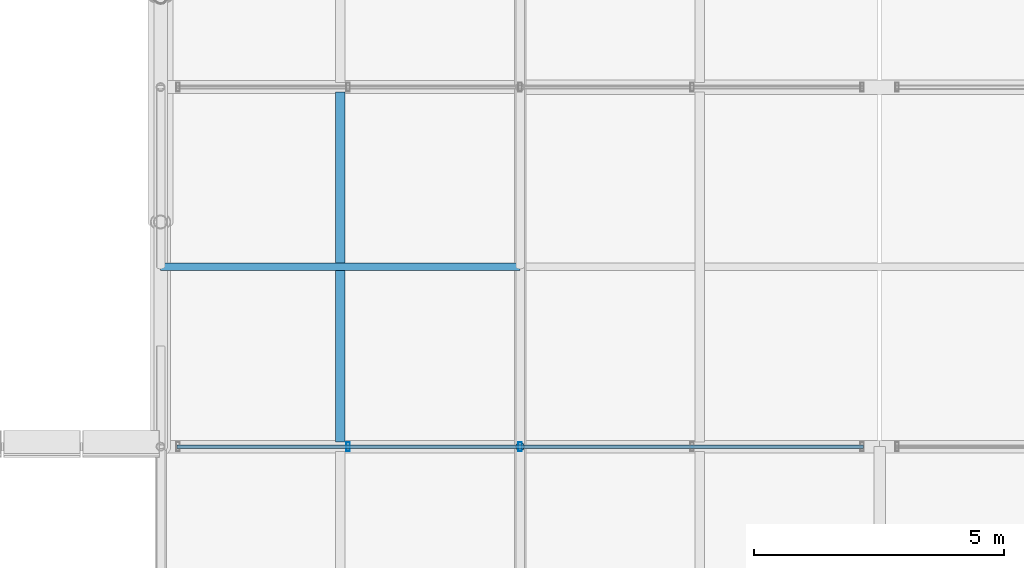
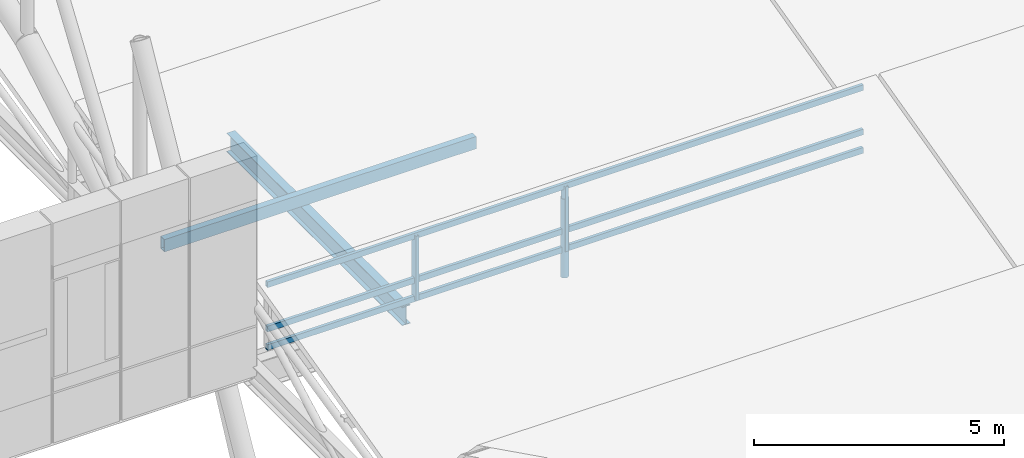
# One storey, part 57 of 144: 7 members, 1 beam, 1 element without a shape of its own.
"""IFC4 building model written with IfcOpenShell, lengths in metres."""

from ifc_helpers import new_model, si_unit, direction, frame, origin, origin_2d, place, context, subcontext, project, spatial, hollow_rectangle, hollow_circle, i_section, extrude, material, material_profile, profile_set, type_object, element, aggregate, save


model = new_model("IFC4")

# Units and contexts
model_context = context("Model", 3, precision=1e-05, world=origin(), true_north=direction((0.0, 1.0)))
body_context = subcontext(model_context, "Body", "Model", "MODEL_VIEW")
ifc_project = project(units=[si_unit("LENGTHUNIT", "METRE"), si_unit("AREAUNIT", "SQUARE_METRE"), si_unit("VOLUMEUNIT", "CUBIC_METRE"), si_unit("PLANEANGLEUNIT", "RADIAN"), si_unit("MASSUNIT", "GRAM", prefix="KILO")], contexts=[model_context])

# Site, building, storey
site_placement = place(None, origin())
site = spatial("IfcSite", under=ifc_project, at=site_placement, CompositionType="ELEMENT")
building_placement = place(site_placement, origin())
building = spatial("IfcBuilding", under=site, at=building_placement, Name="Yarey Park Central Fire Station", CompositionType="ELEMENT")
storey_placement = place(building_placement, frame((0.0, 0.0, 10.199951171875)))
storey = spatial("IfcBuildingStorey", under=building, at=storey_placement, Name="L03", CompositionType="ELEMENT", Elevation=10.199951171875)

# Curtain wall, members
ifc_material_1 = material(Name="Anodized Aluminium Frame", Category="aluminium")
curtain_wall_type = type_object("IfcCurtainWallType", Name="ENV_CW_SAW_18", PredefinedType="NOTDEFINED", material=ifc_material_1)
curtain_wall_placement = place(storey_placement, origin())
curtain_wall = element("IfcCurtainWall", 1, at=curtain_wall_placement, inside=storey, type_object=curtain_wall_type, Name="CW_L03_SAW_2_1", PredefinedType="NOTDEFINED")
ifc_material_profile_1 = material_profile(ifc_material_1, hollow_rectangle(XDim=0.070068359375, YDim=0.179931640625, WallThickness=0.00390625, at=origin_2d()), Name="ALU 180x70x4")
ifc_profile_set_1 = profile_set([ifc_material_profile_1], Name="Anodized Aluminium Frame")
member_type_1 = type_object("IfcMemberType", Name="ENV_CW_MULLION", PredefinedType="MULLION", material=ifc_profile_set_1)
member_1_placement = place(storey_placement, frame((144.0, 57.60009765625, 0.0), z_axis=(0.0, 0.0, 1.0), x_axis=(1.0, 0.0, 0.0)))
member_1 = element("IfcMember", 2, at=member_1_placement, type_object=member_type_1, Name="CW_L03_SAW_2_1_MUL3", PredefinedType="MULLION", context=body_context, shape_type="SweptSolid", body=[
    extrude(hollow_rectangle(XDim=0.070068359375, YDim=0.179931640625, WallThickness=0.00390625, at=origin_2d()), origin(), (0.0, 0.0, 1.0), 1.580078125),
])
member_2_placement = place(storey_placement, frame((140.554931640625, 57.60009765625, 0.0), z_axis=(0.0, 0.0, 1.0), x_axis=(1.0, 0.0, 0.0)))
member_2 = element("IfcMember", 3, at=member_2_placement, type_object=member_type_1, Name="CW_L03_SAW_2_1_MUL4", PredefinedType="MULLION", context=body_context, shape_type="SweptSolid", body=[
    extrude(hollow_rectangle(XDim=0.070068359375, YDim=0.179931640625, WallThickness=0.00390625, at=origin_2d()), origin(), (0.0, 0.0, 1.0), 1.580078125),
])
ifc_material_profile_2 = material_profile(ifc_material_1, hollow_rectangle(XDim=0.070068359375, YDim=0.139892578125, WallThickness=0.00390625, at=origin_2d()), Name="ALU 140x70x4")
ifc_profile_set_2 = profile_set([ifc_material_profile_2], Name="Anodized Aluminium Frame")
member_type_2 = type_object("IfcMemberType", Name="ENV_CW_TRANSOM", PredefinedType="USERDEFINED", material=ifc_profile_set_2)
member_3_placement = place(storey_placement, frame((150.875, 57.60009765625, 0.025146484375), z_axis=(-1.0, 0.0, 0.0), x_axis=(0.0, -1.0, 0.0)))
member_3 = element("IfcMember", 4, at=member_3_placement, type_object=member_type_2, Name="CW_L03_SAW_2_1_TRN1", ObjectType="TRANSOM", PredefinedType="USERDEFINED", context=body_context, shape_type="SweptSolid", body=[
    extrude(hollow_rectangle(XDim=0.070068359375, YDim=0.139892578125, WallThickness=0.00390625, at=origin_2d()), origin(), (0.0, 0.0, 1.0), 13.75),
])
member_4_placement = place(storey_placement, frame((150.875, 57.60009765625, 0.47412109375), z_axis=(-1.0, 0.0, 0.0), x_axis=(0.0, -1.0, 0.0)))
member_4 = element("IfcMember", 5, at=member_4_placement, type_object=member_type_2, Name="CW_L03_SAW_2_1_TRN2", ObjectType="TRANSOM", PredefinedType="USERDEFINED", context=body_context, shape_type="SweptSolid", body=[
    extrude(hollow_rectangle(XDim=0.070068359375, YDim=0.139892578125, WallThickness=0.00390625, at=origin_2d()), origin(), (0.0, 0.0, 1.0), 13.75),
])
member_5_placement = place(storey_placement, frame((150.875, 57.60009765625, 1.554931640625), z_axis=(-1.0, 0.0, 0.0), x_axis=(0.0, -1.0, 0.0)))
member_5 = element("IfcMember", 6, at=member_5_placement, type_object=member_type_2, Name="CW_L03_SAW_2_1_TRN3", ObjectType="TRANSOM", PredefinedType="USERDEFINED", context=body_context, shape_type="SweptSolid", body=[
    extrude(hollow_rectangle(XDim=0.070068359375, YDim=0.139892578125, WallThickness=0.00390625, at=origin_2d()), origin(), (0.0, 0.0, 1.0), 13.75),
])
aggregate(curtain_wall, [member_1, member_2, member_3, member_4, member_5])

# Beam
ifc_material_2 = material(Name="Steel ASTM A992 Gr. 50", Category="steel")
ifc_material_profile_3 = material_profile(ifc_material_2, i_section(OverallWidth=0.18994140625, OverallDepth=0.45703125, WebThickness=0.009033203125, FlangeThickness=0.014404296875, at=origin_2d()), Name="W460x74")
ifc_profile_set_3 = profile_set([ifc_material_profile_3], Name="Steel ASTM A992 Gr. 50")
beam_type = type_object("IfcBeamType", Name="STR_JST_W460", PredefinedType="JOIST", material=ifc_profile_set_3)
beam_placement = place(storey_placement, frame((140.39990234375, 57.695068359375, -0.408447265625), z_axis=(0.0, 1.0, 0.0), x_axis=(-1.0, 0.0, 0.0)))
element("IfcBeam", 7, at=beam_placement, inside=storey, type_object=beam_type, Name="JST L03 X1404 Y576", PredefinedType="JOIST", context=body_context, shape_type="SweptSolid", body=[
    extrude(i_section(OverallWidth=0.18994140625, OverallDepth=0.45703125, WebThickness=0.009033203125, FlangeThickness=0.014404296875, at=origin_2d()), origin(), (0.0, 0.0, 1.0), 7.010009765625),
])

# Members
ifc_material_3 = material(Name="Steel ASTM A500 Gr. C", Category="steel")
ifc_material_profile_4 = material_profile(ifc_material_3, hollow_rectangle(XDim=0.14990234375, YDim=0.300048828125, WallThickness=0.010009765625, at=origin_2d()), Name="HSS 300x150x10")
ifc_profile_set_4 = profile_set([ifc_material_profile_4], Name="Steel ASTM A500 Gr. C")
member_type_3 = type_object("IfcMemberType", Name="STR_PUR_HSS300", PredefinedType="PURLIN", material=ifc_profile_set_4)
member_6_placement = place(storey_placement, frame((136.800048828125, 61.199951171875, 0.462646484375), z_axis=(1.0, 0.0, 0.0), x_axis=(0.0, 1.0, 0.0)))
element("IfcMember", 8, at=member_6_placement, inside=storey, type_object=member_type_3, Name="SAW_PUR_1_B3", PredefinedType="PURLIN", context=body_context, shape_type="SweptSolid", body=[
    extrude(hollow_rectangle(XDim=0.14990234375, YDim=0.300048828125, WallThickness=0.010009765625, at=origin_2d()), origin(), (0.0, 0.0, 1.0), 7.199951171875),
])
ifc_material_profile_5 = material_profile(ifc_material_3, hollow_circle(Radius=0.084228515625, WallThickness=0.008056640625, at=origin_2d()), Name="CHS 168.3x8")
ifc_profile_set_5 = profile_set([ifc_material_profile_5], Name="Steel ASTM A500 Gr. C")
member_type_4 = type_object("IfcMemberType", Name="STR_WEB_CHS168", PredefinedType="BRACE", material=ifc_profile_set_5)
member_7_placement = place(storey_placement, frame((144.0, 57.60009765625, -0.64990234375), z_axis=(0.0, 0.0, 1.0), x_axis=(1.0, 0.0, 0.0)))
element("IfcMember", 9, at=member_7_placement, inside=storey, type_object=member_type_4, Name="SAW_T2_B2_VT", PredefinedType="BRACE", context=body_context, shape_type="SweptSolid", body=[
    extrude(hollow_circle(Radius=0.084228515625, WallThickness=0.008056640625, at=origin_2d()), origin(), (0.0, 0.0, 1.0), 1.925048828125),
])

save(model, "model.ifc")
